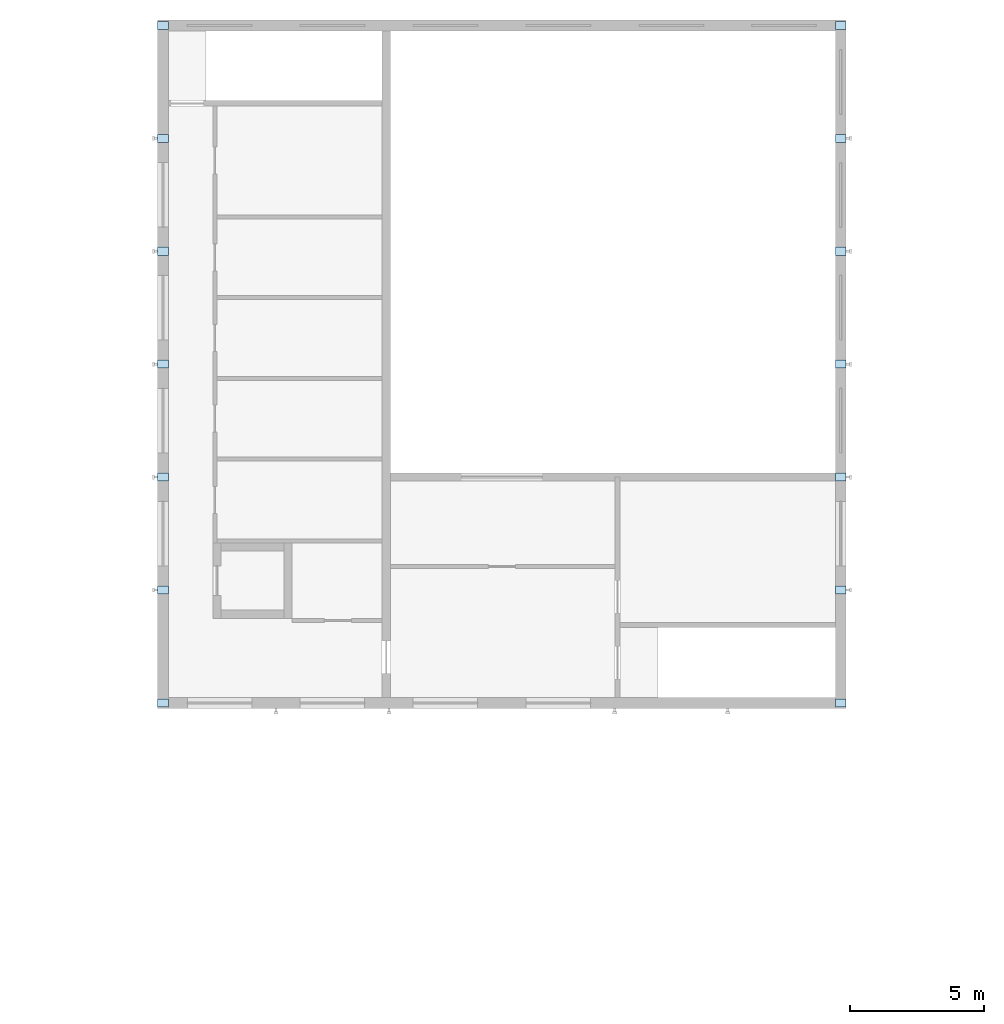
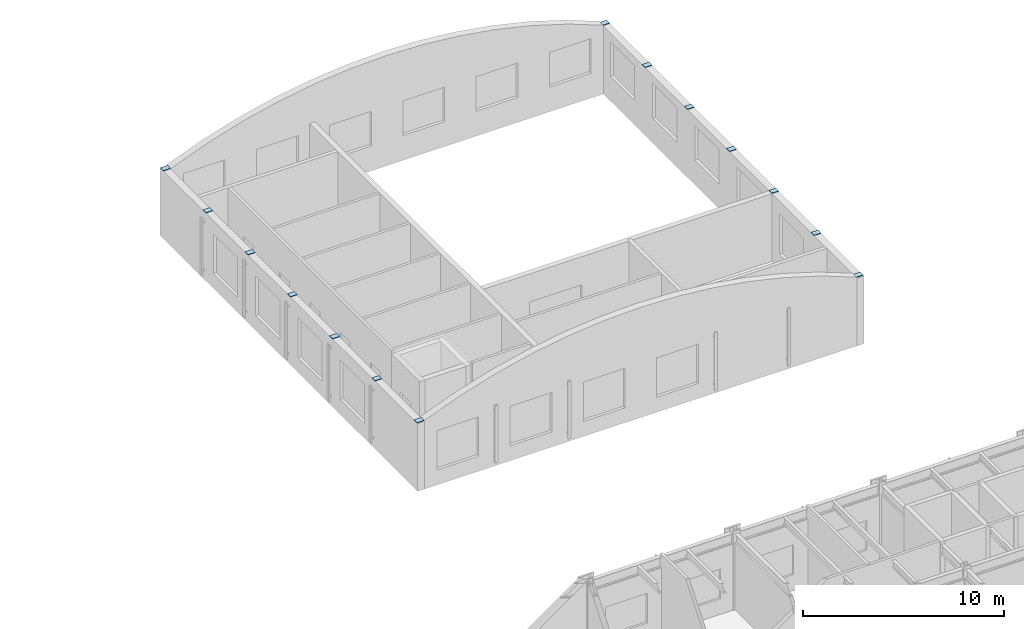
# One storey, part 69 of 127: 14 plates.
"""IFC4 building model written with IfcOpenShell, lengths in metres."""

from ifc_helpers import new_model, si_unit, direction, frame, origin, origin_2d, place, context, subcontext, project, spatial, rectangle, extrude, material, layer, layer_set, type_object, element, save


model = new_model("IFC4")

# Units and contexts
model_context = context("Model", 3, precision=1e-05, world=origin(), true_north=direction((0.0, 1.0)))
body_context = subcontext(model_context, "Body", "Model", "MODEL_VIEW")
ifc_project = project(units=[si_unit("LENGTHUNIT", "METRE"), si_unit("AREAUNIT", "SQUARE_METRE"), si_unit("VOLUMEUNIT", "CUBIC_METRE"), si_unit("PLANEANGLEUNIT", "RADIAN"), si_unit("MASSUNIT", "GRAM", prefix="KILO")], contexts=[model_context])

# Site, building, storey
site_placement = place(None, origin())
site = spatial("IfcSite", under=ifc_project, at=site_placement, CompositionType="ELEMENT")
building_placement = place(site_placement, origin())
building = spatial("IfcBuilding", under=site, at=building_placement, Name="Ljudholm Concert House", CompositionType="ELEMENT")
storey_placement = place(building_placement, frame((0.0, 0.0, 5.39990234375)))
storey = spatial("IfcBuildingStorey", under=building, at=storey_placement, Name="L01", CompositionType="ELEMENT", Elevation=5.39990234375)

# Plates
ifc_material = material(Name="Steel ASTM A36", Category="steel")
ifc_layer = layer(ifc_material, 0.030029296875)
ifc_layer_set = layer_set([ifc_layer], Name="Steel ASTM A36")
plate_type = type_object("IfcPlateType", Name="BEARING PLATE 30x300x400", PredefinedType="SHEET", material=ifc_layer_set)
for number, where, z_axis, x_axis, name in (
    (1, (62.800048828125, 146.800048828125, 4.10009765625), (0.0, 0.0, 1.0), (1.0, 0.0, 0.0), "Rib bearing plate"),
    (2, (88.0, 146.800048828125, 4.10009765625), (0.0, 0.0, 1.0), (1.0, 0.0, 0.0), "Rib bearing plate"),
    (3, (62.800048828125, 151.0, 4.10009765625), (0.0, 0.0, 1.0), (1.0, 0.0, 0.0), "Rib bearing plate"),
    (4, (88.0, 151.0, 4.10009765625), (0.0, 0.0, 1.0), (1.0, 0.0, 0.0), "Rib bearing plate"),
    (5, (62.800048828125, 155.199951171875, 4.10009765625), (0.0, 0.0, 1.0), (1.0, 0.0, 0.0), "Rib bearing plate"),
    (6, (88.0, 155.199951171875, 4.10009765625), (0.0, 0.0, 1.0), (1.0, 0.0, 0.0), "Rib bearing plate"),
    (7, (62.800048828125, 159.39990234375, 4.10009765625), (0.0, 0.0, 1.0), (1.0, 0.0, 0.0), "Rib bearing plate"),
    (8, (88.0, 159.39990234375, 4.10009765625), (0.0, 0.0, 1.0), (1.0, 0.0, 0.0), "Rib bearing plate"),
    (9, (62.800048828125, 163.60009765625, 4.10009765625), (0.0, 0.0, 1.0), (1.0, 0.0, 0.0), "Rib bearing plate"),
    (10, (88.0, 163.60009765625, 4.10009765625), (0.0, 0.0, 1.0), (1.0, 0.0, 0.0), "Rib bearing plate"),
    (11, (62.800048828125, 167.800048828125, 4.10009765625), (0.0, 0.0, 1.0), (1.0, 0.0, 0.0), "Rib bearing plate"),
    (12, (88.0, 167.800048828125, 4.10009765625), (0.0, 0.0, 1.0), (1.0, 0.0, 0.0), "Rib bearing plate"),
    (13, (62.800048828125, 172.0, 4.10009765625), (0.0, 0.0, 1.0), (1.0, 0.0, 0.0), "Rib bearing plate"),
    (14, (88.0, 172.0, 4.10009765625), (0.0, 0.0, 1.0), (1.0, 0.0, 0.0), "Rib bearing plate"),
):
    element("IfcPlate", number, at=place(storey_placement, frame(where, z_axis=z_axis, x_axis=x_axis)), inside=storey, type_object=plate_type, Name=name, PredefinedType="SHEET", context=body_context, shape_type="SweptSolid", body=[
        extrude(rectangle(XDim=0.39990234375, YDim=0.300048828125, at=origin_2d()), origin(), (0.0, 0.0, 1.0), 0.030029296875),
    ])

save(model, "model.ifc")
